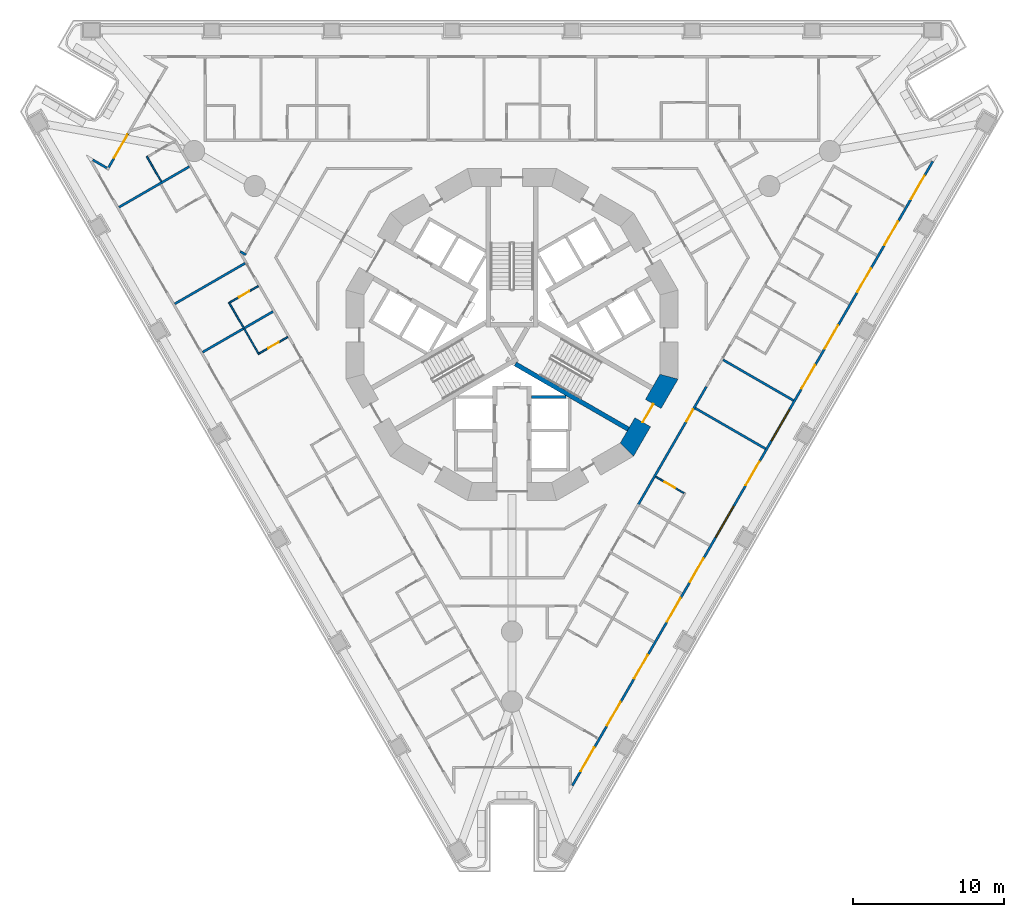
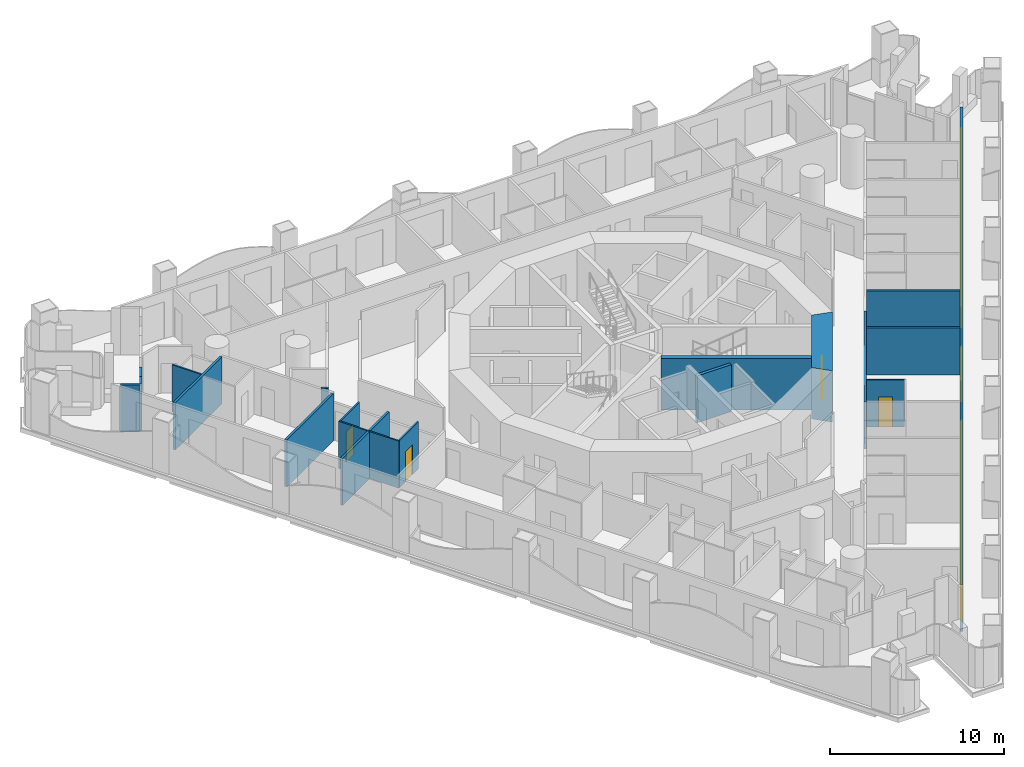
# One storey, part 5 of 19: 20 walls, 17 doors, 2 windows, 19 openings.
"""IFC4 building model written with IfcOpenShell, lengths in metres."""

from ifc_helpers import new_model, si_unit, direction, frame, frame_2d, origin, place, context, subcontext, project, spatial, polyline, rectangle, outline, extrude, material, layer, layer_set, type_object, element, fill, save


model = new_model("IFC4")

# Units and contexts
model_context = context("Model", 3, precision=1e-05, world=origin(), true_north=direction((0.0, 1.0)))
body_context = subcontext(model_context, "Body", "Model", "MODEL_VIEW")
ifc_project = project(units=[si_unit("LENGTHUNIT", "METRE"), si_unit("AREAUNIT", "SQUARE_METRE"), si_unit("VOLUMEUNIT", "CUBIC_METRE"), si_unit("PLANEANGLEUNIT", "RADIAN"), si_unit("MASSUNIT", "GRAM", prefix="KILO")], contexts=[model_context])

# Site, building, storey
site_placement = place(None, origin())
site = spatial("IfcSite", under=ifc_project, at=site_placement, CompositionType="ELEMENT")
building_placement = place(site_placement, origin())
building = spatial("IfcBuilding", under=site, at=building_placement, Name="Trine Commons Tower", CompositionType="ELEMENT")
storey_placement = place(building_placement, frame((0.0, 0.0, 31.5)))
storey = spatial("IfcBuildingStorey", under=building, at=storey_placement, Name="L06", CompositionType="ELEMENT", Elevation=31.5)

# Walls
ifc_material_1 = material(Name="Aluminium-framed insulated wall panel", Category="aluminium")
ifc_layer_1 = layer(ifc_material_1, 0.14990234375)
ifc_layer_set_1 = layer_set([ifc_layer_1], Name="Aluminium-framed insulated wall panel")
wall_type_1 = type_object("IfcWallType", Name="Glazed frame wall 150, EI 60", PredefinedType="SOLIDWALL", material=ifc_layer_set_1)
wall_1_placement = place(storey_placement, frame((52.074462890625, 74.159912109375, 0.0), z_axis=(0.0, 0.0, 1.0), x_axis=(0.865989100438, -0.500062873969, 0.0)))
element("IfcWall", 1, at=wall_1_placement, inside=storey, type_object=wall_type_1, Name="Glazed frame wall R1", PredefinedType="SOLIDWALL", context=body_context, shape_type="SweptSolid", body=[
    extrude(outline(polyline([(0.1494140625, 0.074951171875), (0.1494140625, -0.074951171875), (1.235107421875, -0.074951171875), (1.235107421875, 0.074951171875), (0.1494140625, 0.074951171875)])), origin(), (0.0, 0.0, 1.0), 3.300048828125),
])
wall_2_placement = place(storey_placement, frame((53.19140625, 73.474609375, 0.0), z_axis=(0.0, 0.0, 1.0), x_axis=(0.499880961361, 0.866094119867, 0.0)))
element("IfcWall", 2, at=wall_2_placement, inside=storey, type_object=wall_type_1, Name="Glazed frame wall P1.1", PredefinedType="SOLIDWALL", context=body_context, shape_type="SweptSolid", body=[
    extrude(outline(polyline([(0.110107421875, -0.074951171875), (0.800048828125, -0.074951171875), (0.800048828125, 0.074951171875), (0.110107421875, 0.074951171875), (0.110107421875, -0.074951171875)])), origin(), (0.0, 0.0, 1.0), 3.300048828125),
])

# Wall, opening, door
wall_3_placement = place(storey_placement, frame((53.59130859375, 74.16748046875, 0.0), z_axis=(0.0, 0.0, 1.0), x_axis=(0.500063520245, 0.865988727248, 0.0)))
wall_3 = element("IfcWall", 3, at=wall_3_placement, inside=storey, type_object=wall_type_1, Name="Glazed frame wall P1.2", PredefinedType="SOLIDWALL", context=body_context, shape_type="SweptSolid", body=[
    extrude(outline(polyline([(0.0, -0.074951171875), (1.89990234375, -0.074951171875), (1.89990234375, 0.074951171875), (0.0, 0.074951171875), (0.0, -0.074951171875)])), origin(), (0.0, 0.0, 1.0), 2.64990234375),
])
opening_1_placement = place(wall_3_placement, frame((0.050048828125, 0.0, 0.0)))
opening_1 = element("IfcOpeningElement", 4, at=opening_1_placement, cuts=wall_3, Name="Opening BD-1P1-01", PredefinedType="OPENING", context=body_context, shape_type="SweptSolid", body=[
    extrude(rectangle(XDim=1.800048828125, YDim=2.60009765625, at=frame_2d((0.89990234375, 1.300048828125))), frame((0.0, 0.0849609375, 0.0), z_axis=(0.0, -1.0, 0.0), x_axis=(1.0, 0.0, 0.0)), (0.0, 0.0, 1.0), 0.169921875),
])
ifc_material_2 = material(Name="Anodised aluminium frame with double glazing", Category="aluminium")
door_type_1 = type_object("IfcDoorType", Name="Sliding loggia door 1800x2600", OperationType="SLIDING_TO_LEFT", PredefinedType="DOOR", material=ifc_material_2)
door_1_placement = place(opening_1_placement, origin())
door_1 = element("IfcDoor", 5, at=door_1_placement, inside=storey, type_object=door_type_1, Name="Loggia door P1 1", OperationType="SLIDING_TO_LEFT", OverallHeight=2.60009765625, OverallWidth=1.800048828125, PredefinedType="DOOR", context=body_context, shape_type="SweptSolid", body=[
    extrude(rectangle(XDim=1.800048828125, YDim=2.60009765625, at=frame_2d((0.89990234375, 1.300048828125))), frame((0.0, 0.02490234375, 0.0), z_axis=(0.0, -1.0, 0.0), x_axis=(1.0, 0.0, 0.0)), (0.0, 0.0, 1.0), 0.050048828125),
])
fill(opening_1, door_1)

# Wall, openings, windows, doors
wall_4_placement = place(storey_placement, frame((107.973388671875, 74.112060546875, 0.0), z_axis=(0.0, 0.0, 1.0), x_axis=(-0.499998600735, -0.866026211649, 0.0)))
wall_4 = element("IfcWall", 6, at=wall_4_placement, inside=storey, type_object=wall_type_1, Name="Glazed frame wall F2", PredefinedType="SOLIDWALL", context=body_context, shape_type="SweptSolid", body=[
    extrude(outline(polyline([(0.1494140625, 0.074951171875), (0.1494140625, -0.074951171875), (47.93701171875, -0.074951171875), (47.93701171875, 0.074951171875), (0.1494140625, 0.074951171875)])), origin(), (0.0, 0.0, 1.0), 3.300048828125),
])
opening_2_placement = place(wall_4_placement, frame((1.24951171875, 0.0, 0.0)))
opening_2 = element("IfcOpeningElement", 7, at=opening_2_placement, cuts=wall_4, Name="Opening BD-1F2-01", PredefinedType="OPENING", context=body_context, shape_type="SweptSolid", body=[
    extrude(rectangle(XDim=1.800048828125, YDim=2.60009765625, at=frame_2d((0.89990234375, 1.300048828125))), frame((0.0, 0.0849609375, 0.0), z_axis=(0.0, -1.0, 0.0), x_axis=(1.0, 0.0, 0.0)), (0.0, 0.0, 1.0), 0.169921875),
])
opening_3_placement = place(wall_4_placement, frame((4.748291015625, 0.0, 0.0)))
opening_3 = element("IfcOpeningElement", 8, at=opening_3_placement, cuts=wall_4, Name="Opening BD-1F2-02", PredefinedType="OPENING", context=body_context, shape_type="SweptSolid", body=[
    extrude(rectangle(XDim=1.800048828125, YDim=2.60009765625, at=frame_2d((0.89990234375, 1.300048828125))), frame((0.0, 0.0849609375, 0.0), z_axis=(0.0, -1.0, 0.0), x_axis=(1.0, 0.0, 0.0)), (0.0, 0.0, 1.0), 0.169921875),
])
opening_4_placement = place(wall_4_placement, frame((8.347412109375, 0.0, 0.0)))
opening_4 = element("IfcOpeningElement", 9, at=opening_4_placement, cuts=wall_4, Name="Opening BD-1F2-03", PredefinedType="OPENING", context=body_context, shape_type="SweptSolid", body=[
    extrude(rectangle(XDim=1.800048828125, YDim=2.60009765625, at=frame_2d((0.89990234375, 1.300048828125))), frame((0.0, 0.0849609375, 0.0), z_axis=(0.0, -1.0, 0.0), x_axis=(1.0, 0.0, 0.0)), (0.0, 0.0, 1.0), 0.169921875),
])
opening_5_placement = place(wall_4_placement, frame((12.69580078125, 0.0, 0.0)))
opening_5 = element("IfcOpeningElement", 10, at=opening_5_placement, cuts=wall_4, Name="Opening BD-1F2-04", PredefinedType="OPENING", context=body_context, shape_type="SweptSolid", body=[
    extrude(rectangle(XDim=1.800048828125, YDim=2.60009765625, at=frame_2d((0.89990234375, 1.300048828125))), frame((0.0, 0.0849609375, 0.0), z_axis=(0.0, -1.0, 0.0), x_axis=(1.0, 0.0, 0.0)), (0.0, 0.0, 1.0), 0.169921875),
])
opening_6_placement = place(wall_4_placement, frame((15.7451171875, 0.0, 0.0)))
opening_6 = element("IfcOpeningElement", 11, at=opening_6_placement, cuts=wall_4, Name="Opening BD-1F2-05", PredefinedType="OPENING", context=body_context, shape_type="SweptSolid", body=[
    extrude(rectangle(XDim=1.800048828125, YDim=2.60009765625, at=frame_2d((0.89990234375, 1.300048828125))), frame((0.0, 0.0849609375, 0.0), z_axis=(0.0, -1.0, 0.0), x_axis=(1.0, 0.0, 0.0)), (0.0, 0.0, 1.0), 0.169921875),
])
opening_7_placement = place(wall_4_placement, frame((19.14404296875, 0.0, 0.14990234375)))
opening_7 = element("IfcOpeningElement", 12, at=opening_7_placement, cuts=wall_4, Name="Opening W-1F2-06", PredefinedType="OPENING", context=body_context, shape_type="SweptSolid", body=[
    extrude(rectangle(XDim=2.39990234375, YDim=2.449951171875, at=frame_2d((1.199951171875, 1.22509765625))), frame((0.0, 0.0849609375, 0.0), z_axis=(0.0, -1.0, 0.0), x_axis=(1.0, 0.0, 0.0)), (0.0, 0.0, 1.0), 0.169921875),
])
opening_8_placement = place(wall_4_placement, frame((23.142822265625, 0.0, 0.0)))
opening_8 = element("IfcOpeningElement", 13, at=opening_8_placement, cuts=wall_4, Name="Opening BD-1F2-07", PredefinedType="OPENING", context=body_context, shape_type="SweptSolid", body=[
    extrude(rectangle(XDim=1.800048828125, YDim=2.60009765625, at=frame_2d((0.89990234375, 1.300048828125))), frame((0.0, 0.0849609375, 0.0), z_axis=(0.0, -1.0, 0.0), x_axis=(1.0, 0.0, 0.0)), (0.0, 0.0, 1.0), 0.169921875),
])
opening_9_placement = place(wall_4_placement, frame((26.541748046875, 0.0, 0.14990234375)))
opening_9 = element("IfcOpeningElement", 14, at=opening_9_placement, cuts=wall_4, Name="Opening W-1F2-08", PredefinedType="OPENING", context=body_context, shape_type="SweptSolid", body=[
    extrude(rectangle(XDim=2.39990234375, YDim=2.449951171875, at=frame_2d((1.199951171875, 1.22509765625))), frame((0.0, 0.0849609375, 0.0), z_axis=(0.0, -1.0, 0.0), x_axis=(1.0, 0.0, 0.0)), (0.0, 0.0, 1.0), 0.169921875),
])
opening_10_placement = place(wall_4_placement, frame((30.54052734375, 0.0, 0.0)))
opening_10 = element("IfcOpeningElement", 15, at=opening_10_placement, cuts=wall_4, Name="Opening BD-1F2-09", PredefinedType="OPENING", context=body_context, shape_type="SweptSolid", body=[
    extrude(rectangle(XDim=1.800048828125, YDim=2.60009765625, at=frame_2d((0.89990234375, 1.300048828125))), frame((0.0, 0.0849609375, 0.0), z_axis=(0.0, -1.0, 0.0), x_axis=(1.0, 0.0, 0.0)), (0.0, 0.0, 1.0), 0.169921875),
])
opening_11_placement = place(wall_4_placement, frame((33.590087890625, 0.0, 0.0)))
opening_11 = element("IfcOpeningElement", 16, at=opening_11_placement, cuts=wall_4, Name="Opening BD-1F2-10", PredefinedType="OPENING", context=body_context, shape_type="SweptSolid", body=[
    extrude(rectangle(XDim=1.800048828125, YDim=2.60009765625, at=frame_2d((0.89990234375, 1.300048828125))), frame((0.0, 0.0849609375, 0.0), z_axis=(0.0, -1.0, 0.0), x_axis=(1.0, 0.0, 0.0)), (0.0, 0.0, 1.0), 0.169921875),
])
opening_12_placement = place(wall_4_placement, frame((37.9384765625, 0.0, 0.0)))
opening_12 = element("IfcOpeningElement", 17, at=opening_12_placement, cuts=wall_4, Name="Opening BD-1F2-11", PredefinedType="OPENING", context=body_context, shape_type="SweptSolid", body=[
    extrude(rectangle(XDim=1.800048828125, YDim=2.60009765625, at=frame_2d((0.89990234375, 1.300048828125))), frame((0.0, 0.0849609375, 0.0), z_axis=(0.0, -1.0, 0.0), x_axis=(1.0, 0.0, 0.0)), (0.0, 0.0, 1.0), 0.169921875),
])
opening_13_placement = place(wall_4_placement, frame((41.537353515625, 0.0, 0.0)))
opening_13 = element("IfcOpeningElement", 18, at=opening_13_placement, cuts=wall_4, Name="Opening BD-1F2-12", PredefinedType="OPENING", context=body_context, shape_type="SweptSolid", body=[
    extrude(rectangle(XDim=1.800048828125, YDim=2.60009765625, at=frame_2d((0.89990234375, 1.300048828125))), frame((0.0, 0.0849609375, 0.0), z_axis=(0.0, -1.0, 0.0), x_axis=(1.0, 0.0, 0.0)), (0.0, 0.0, 1.0), 0.169921875),
])
opening_14_placement = place(wall_4_placement, frame((45.036376953125, 0.0, 0.0)))
opening_14 = element("IfcOpeningElement", 19, at=opening_14_placement, cuts=wall_4, Name="Opening BD-1F2-13", PredefinedType="OPENING", context=body_context, shape_type="SweptSolid", body=[
    extrude(rectangle(XDim=1.800048828125, YDim=2.60009765625, at=frame_2d((0.89990234375, 1.300048828125))), frame((0.0, 0.0849609375, 0.0), z_axis=(0.0, -1.0, 0.0), x_axis=(1.0, 0.0, 0.0)), (0.0, 0.0, 1.0), 0.169921875),
])
window_type = type_object("IfcWindowType", Name="Fixed window 2400x2450", PartitioningType="SINGLE_PANEL", PredefinedType="WINDOW", material=ifc_material_2)
window_1_placement = place(opening_7_placement, origin())
window_1 = element("IfcWindow", 20, at=window_1_placement, inside=storey, type_object=window_type, Name="Window F2 6", OverallHeight=2.449951171875, OverallWidth=2.39990234375, PartitioningType="SINGLE_PANEL", PredefinedType="WINDOW", context=body_context, shape_type="SweptSolid", body=[
    extrude(rectangle(XDim=2.39990234375, YDim=2.449951171875, at=frame_2d((1.199951171875, 1.22509765625))), frame((0.0, 0.030029296875, 0.0), z_axis=(0.0, -1.0, 0.0), x_axis=(1.0, 0.0, 0.0)), (0.0, 0.0, 1.0), 0.06005859375),
])
fill(opening_7, window_1)
window_2_placement = place(opening_9_placement, origin())
window_2 = element("IfcWindow", 21, at=window_2_placement, inside=storey, type_object=window_type, Name="Window F2 8", OverallHeight=2.449951171875, OverallWidth=2.39990234375, PartitioningType="SINGLE_PANEL", PredefinedType="WINDOW", context=body_context, shape_type="SweptSolid", body=[
    extrude(rectangle(XDim=2.39990234375, YDim=2.449951171875, at=frame_2d((1.199951171875, 1.22509765625))), frame((0.0, 0.030029296875, 0.0), z_axis=(0.0, -1.0, 0.0), x_axis=(1.0, 0.0, 0.0)), (0.0, 0.0, 1.0), 0.06005859375),
])
fill(opening_9, window_2)
door_2_placement = place(opening_2_placement, origin())
door_2 = element("IfcDoor", 22, at=door_2_placement, inside=storey, type_object=door_type_1, Name="Loggia door F2 1", OperationType="SLIDING_TO_LEFT", OverallHeight=2.60009765625, OverallWidth=1.800048828125, PredefinedType="DOOR", context=body_context, shape_type="SweptSolid", body=[
    extrude(rectangle(XDim=1.800048828125, YDim=2.60009765625, at=frame_2d((0.89990234375, 1.300048828125))), frame((0.0, 0.02490234375, 0.0), z_axis=(0.0, -1.0, 0.0), x_axis=(1.0, 0.0, 0.0)), (0.0, 0.0, 1.0), 0.050048828125),
])
fill(opening_2, door_2)
door_3_placement = place(opening_3_placement, origin())
door_3 = element("IfcDoor", 23, at=door_3_placement, inside=storey, type_object=door_type_1, Name="Loggia door F2 2", OperationType="SLIDING_TO_LEFT", OverallHeight=2.60009765625, OverallWidth=1.800048828125, PredefinedType="DOOR", context=body_context, shape_type="SweptSolid", body=[
    extrude(rectangle(XDim=1.800048828125, YDim=2.60009765625, at=frame_2d((0.89990234375, 1.300048828125))), frame((0.0, 0.02490234375, 0.0), z_axis=(0.0, -1.0, 0.0), x_axis=(1.0, 0.0, 0.0)), (0.0, 0.0, 1.0), 0.050048828125),
])
fill(opening_3, door_3)
door_4_placement = place(opening_4_placement, origin())
door_4 = element("IfcDoor", 24, at=door_4_placement, inside=storey, type_object=door_type_1, Name="Loggia door F2 3", OperationType="SLIDING_TO_LEFT", OverallHeight=2.60009765625, OverallWidth=1.800048828125, PredefinedType="DOOR", context=body_context, shape_type="SweptSolid", body=[
    extrude(rectangle(XDim=1.800048828125, YDim=2.60009765625, at=frame_2d((0.89990234375, 1.300048828125))), frame((0.0, 0.02490234375, 0.0), z_axis=(0.0, -1.0, 0.0), x_axis=(1.0, 0.0, 0.0)), (0.0, 0.0, 1.0), 0.050048828125),
])
fill(opening_4, door_4)
door_5_placement = place(opening_5_placement, origin())
door_5 = element("IfcDoor", 25, at=door_5_placement, inside=storey, type_object=door_type_1, Name="Loggia door F2 4", OperationType="SLIDING_TO_LEFT", OverallHeight=2.60009765625, OverallWidth=1.800048828125, PredefinedType="DOOR", context=body_context, shape_type="SweptSolid", body=[
    extrude(rectangle(XDim=1.800048828125, YDim=2.60009765625, at=frame_2d((0.89990234375, 1.300048828125))), frame((0.0, 0.02490234375, 0.0), z_axis=(0.0, -1.0, 0.0), x_axis=(1.0, 0.0, 0.0)), (0.0, 0.0, 1.0), 0.050048828125),
])
fill(opening_5, door_5)
door_6_placement = place(opening_6_placement, origin())
door_6 = element("IfcDoor", 26, at=door_6_placement, inside=storey, type_object=door_type_1, Name="Loggia door F2 5", OperationType="SLIDING_TO_LEFT", OverallHeight=2.60009765625, OverallWidth=1.800048828125, PredefinedType="DOOR", context=body_context, shape_type="SweptSolid", body=[
    extrude(rectangle(XDim=1.800048828125, YDim=2.60009765625, at=frame_2d((0.89990234375, 1.300048828125))), frame((0.0, 0.02490234375, 0.0), z_axis=(0.0, -1.0, 0.0), x_axis=(1.0, 0.0, 0.0)), (0.0, 0.0, 1.0), 0.050048828125),
])
fill(opening_6, door_6)
door_7_placement = place(opening_8_placement, origin())
door_7 = element("IfcDoor", 27, at=door_7_placement, inside=storey, type_object=door_type_1, Name="Loggia door F2 7", OperationType="SLIDING_TO_LEFT", OverallHeight=2.60009765625, OverallWidth=1.800048828125, PredefinedType="DOOR", context=body_context, shape_type="SweptSolid", body=[
    extrude(rectangle(XDim=1.800048828125, YDim=2.60009765625, at=frame_2d((0.89990234375, 1.300048828125))), frame((0.0, 0.02490234375, 0.0), z_axis=(0.0, -1.0, 0.0), x_axis=(1.0, 0.0, 0.0)), (0.0, 0.0, 1.0), 0.050048828125),
])
fill(opening_8, door_7)
door_8_placement = place(opening_10_placement, origin())
door_8 = element("IfcDoor", 28, at=door_8_placement, inside=storey, type_object=door_type_1, Name="Loggia door F2 9", OperationType="SLIDING_TO_LEFT", OverallHeight=2.60009765625, OverallWidth=1.800048828125, PredefinedType="DOOR", context=body_context, shape_type="SweptSolid", body=[
    extrude(rectangle(XDim=1.800048828125, YDim=2.60009765625, at=frame_2d((0.89990234375, 1.300048828125))), frame((0.0, 0.02490234375, 0.0), z_axis=(0.0, -1.0, 0.0), x_axis=(1.0, 0.0, 0.0)), (0.0, 0.0, 1.0), 0.050048828125),
])
fill(opening_10, door_8)
door_9_placement = place(opening_11_placement, origin())
door_9 = element("IfcDoor", 29, at=door_9_placement, inside=storey, type_object=door_type_1, Name="Loggia door F2 10", OperationType="SLIDING_TO_LEFT", OverallHeight=2.60009765625, OverallWidth=1.800048828125, PredefinedType="DOOR", context=body_context, shape_type="SweptSolid", body=[
    extrude(rectangle(XDim=1.800048828125, YDim=2.60009765625, at=frame_2d((0.89990234375, 1.300048828125))), frame((0.0, 0.02490234375, 0.0), z_axis=(0.0, -1.0, 0.0), x_axis=(1.0, 0.0, 0.0)), (0.0, 0.0, 1.0), 0.050048828125),
])
fill(opening_11, door_9)
door_10_placement = place(opening_12_placement, origin())
door_10 = element("IfcDoor", 30, at=door_10_placement, inside=storey, type_object=door_type_1, Name="Loggia door F2 11", OperationType="SLIDING_TO_LEFT", OverallHeight=2.60009765625, OverallWidth=1.800048828125, PredefinedType="DOOR", context=body_context, shape_type="SweptSolid", body=[
    extrude(rectangle(XDim=1.800048828125, YDim=2.60009765625, at=frame_2d((0.89990234375, 1.300048828125))), frame((0.0, 0.02490234375, 0.0), z_axis=(0.0, -1.0, 0.0), x_axis=(1.0, 0.0, 0.0)), (0.0, 0.0, 1.0), 0.050048828125),
])
fill(opening_12, door_10)
door_11_placement = place(opening_13_placement, origin())
door_11 = element("IfcDoor", 31, at=door_11_placement, inside=storey, type_object=door_type_1, Name="Loggia door F2 12", OperationType="SLIDING_TO_LEFT", OverallHeight=2.60009765625, OverallWidth=1.800048828125, PredefinedType="DOOR", context=body_context, shape_type="SweptSolid", body=[
    extrude(rectangle(XDim=1.800048828125, YDim=2.60009765625, at=frame_2d((0.89990234375, 1.300048828125))), frame((0.0, 0.02490234375, 0.0), z_axis=(0.0, -1.0, 0.0), x_axis=(1.0, 0.0, 0.0)), (0.0, 0.0, 1.0), 0.050048828125),
])
fill(opening_13, door_11)
door_12_placement = place(opening_14_placement, origin())
door_12 = element("IfcDoor", 32, at=door_12_placement, inside=storey, type_object=door_type_1, Name="Loggia door F2 13", OperationType="SLIDING_TO_LEFT", OverallHeight=2.60009765625, OverallWidth=1.800048828125, PredefinedType="DOOR", context=body_context, shape_type="SweptSolid", body=[
    extrude(rectangle(XDim=1.800048828125, YDim=2.60009765625, at=frame_2d((0.89990234375, 1.300048828125))), frame((0.0, 0.02490234375, 0.0), z_axis=(0.0, -1.0, 0.0), x_axis=(1.0, 0.0, 0.0)), (0.0, 0.0, 1.0), 0.050048828125),
])
fill(opening_14, door_12)

# Wall, opening, door
ifc_material_3 = material(Name="Concrete C80/95", Category="concrete")
ifc_layer_2 = layer(ifc_material_3, 1.199951171875)
ifc_layer_set_2 = layer_set([ifc_layer_2], Name="Concrete C80/95")
wall_type_2 = type_object("IfcWallType", Name="RC shear wall 1200 mm, C80/95", PredefinedType="SHEAR", material=ifc_layer_set_2)
wall_5_placement = place(storey_placement, frame((87.54150390625, 54.739013671875, 0.0), z_axis=(0.0, 0.0, 1.0), x_axis=(0.499979111662, 0.866037463336, 0.0)))
wall_5 = element("IfcWall", 33, at=wall_5_placement, inside=storey, type_object=wall_type_2, Name="Core wall CWA-12 L06", PredefinedType="SHEAR", context=body_context, shape_type="SweptSolid", body=[
    extrude(outline(polyline([(0.0, -0.60009765625), (5.901123046875, -0.60009765625), (5.57958984375, 0.60009765625), (0.321533203125, 0.60009765625), (0.0, -0.60009765625)])), origin(), (0.0, 0.0, 1.0), 3.60009765625),
])
opening_15_placement = place(wall_5_placement, frame((2.25048828125, 0.0, 0.0)))
opening_15 = element("IfcOpeningElement", 34, at=opening_15_placement, cuts=wall_5, Name="Opening K05.03", PredefinedType="OPENING", context=body_context, shape_type="SweptSolid", body=[
    extrude(rectangle(XDim=1.39990234375, YDim=2.10009765625, at=frame_2d((0.699951171875, 1.050048828125))), frame((0.0, 0.60986328125, 0.0), z_axis=(0.0, -1.0, 0.0), x_axis=(1.0, 0.0, 0.0)), (0.0, 0.0, 1.0), 1.219970703125),
])
ifc_material_4 = material(Name="Steel door leaves, fire-rated", Category="steel")
door_type_2 = type_object("IfcDoorType", Name="Stair door, double leaf 1400 x 2100, FD90", OperationType="DOUBLE_DOOR_SINGLE_SWING", PredefinedType="DOOR", material=ifc_material_4)
door_13_placement = place(opening_15_placement, origin())
door_13 = element("IfcDoor", 35, at=door_13_placement, inside=storey, type_object=door_type_2, Name="Stair door to Exit stair ST3A L06", OperationType="DOUBLE_DOOR_SINGLE_SWING", OverallHeight=2.10009765625, OverallWidth=1.39990234375, PredefinedType="DOOR", context=body_context, shape_type="SweptSolid", body=[
    extrude(rectangle(XDim=1.39990234375, YDim=2.10009765625, at=frame_2d((0.699951171875, 1.050048828125))), frame((0.0, 0.02490234375, 0.0), z_axis=(0.0, -1.0, 0.0), x_axis=(1.0, 0.0, 0.0)), (0.0, 0.0, 1.0), 0.050048828125),
])
fill(opening_15, door_13)

# Walls
ifc_layer_3 = layer(ifc_material_3, 0.300048828125)
ifc_layer_set_3 = layer_set([ifc_layer_3], Name="Concrete C80/95")
wall_type_3 = type_object("IfcWallType", Name="RC shear wall 300 mm, C80/95", PredefinedType="SHEAR", material=ifc_layer_set_3)
wall_6_placement = place(storey_placement, frame((80.22509765625, 60.552001953125, 0.0), z_axis=(0.0, 0.0, 1.0), x_axis=(0.865965399159, -0.500103916661, 0.0)))
element("IfcWall", 36, at=wall_6_placement, inside=storey, type_object=wall_type_3, Name="Core cross wall SWA-13 L06", PredefinedType="SHEAR", context=body_context, shape_type="SweptSolid", body=[
    extrude(rectangle(XDim=8.642333984375, YDim=0.300048828125, at=frame_2d((4.3212890625, 0.0))), origin(), (0.0, 0.0, 1.0), 3.60009765625),
])
ifc_material_5 = material(Name="Fire-rated gypsum shaft wall system")
ifc_layer_4 = layer(ifc_material_5, 0.199951171875)
ifc_layer_set_4 = layer_set([ifc_layer_4], Name="Fire-rated gypsum shaft wall system")
wall_type_4 = type_object("IfcWallType", Name="Shaft wall 200 mm, EI 120", PredefinedType="PARTITIONING", material=ifc_layer_set_4)
wall_7_placement = place(storey_placement, frame((81.300048828125, 58.35009765625, 0.0), z_axis=(0.0, 0.0, 1.0), x_axis=(1.0, 0.0, 0.0)))
element("IfcWall", 37, at=wall_7_placement, inside=storey, type_object=wall_type_4, Name="Shaft wall L06", PredefinedType="PARTITIONING", context=body_context, shape_type="SweptSolid", body=[
    extrude(rectangle(XDim=2.264892578125, YDim=0.199951171875, at=frame_2d((1.13232421875, 0.0))), origin(), (0.0, 0.0, 1.0), 3.300048828125),
])
ifc_material_6 = material(Name="Gypsum plasterboard on steel stud", Category="steel")
ifc_layer_5 = layer(ifc_material_6, 0.14990234375)
ifc_layer_set_5 = layer_set([ifc_layer_5], Name="Gypsum plasterboard on steel stud")
wall_type_5 = type_object("IfcWallType", Name="Unit and corridor wall 150 mm, EI 60", PredefinedType="PARTITIONING", material=ifc_layer_set_5)
for number, where, z_axis, x_axis, name in (
    (38, (53.941650390625, 70.946044921875, 0.0), (0.0, 0.0, 1.0), (0.866012611495, 0.500022156241, 0.0), "Partition 001"),
    (39, (57.640625, 64.5390625, 0.0), (0.0, 0.0, 1.0), (0.866012611495, 0.500022156241, 0.0), "Partition 007"),
):
    element("IfcWall", number, at=place(storey_placement, frame(where, z_axis=z_axis, x_axis=x_axis)), inside=storey, type_object=wall_type_5, Name=name, PredefinedType="PARTITIONING", context=body_context, shape_type="SweptSolid", body=[
        extrude(rectangle(XDim=5.382568359375, YDim=0.14990234375, at=frame_2d((2.69140625, 0.0))), origin(), (0.0, 0.0, 1.0), 3.300048828125),
    ])
wall_8_placement = place(storey_placement, frame((59.489501953125, 61.3359375, 0.0), z_axis=(0.0, 0.0, 1.0), x_axis=(0.866074421339, 0.499915089492, 0.0)))
element("IfcWall", 40, at=wall_8_placement, inside=storey, type_object=wall_type_5, Name="Partition 011", PredefinedType="PARTITIONING", context=body_context, shape_type="SweptSolid", body=[
    extrude(rectangle(XDim=3.1083984375, YDim=0.14990234375, at=frame_2d((1.55419921875, 0.0))), origin(), (0.0, 0.0, 1.0), 3.300048828125),
])
wall_9_placement = place(storey_placement, frame((61.98388671875, 68.006591796875, 0.0), z_axis=(0.0, 0.0, 1.0), x_axis=(0.866467188461, -0.499234024602, 0.0)))
element("IfcWall", 41, at=wall_9_placement, inside=storey, type_object=wall_type_5, Name="Partition 022", PredefinedType="PARTITIONING", context=body_context, shape_type="SweptSolid", body=[
    extrude(rectangle(XDim=0.432861328125, YDim=0.14990234375, at=frame_2d((0.21630859375, 0.0))), origin(), (0.0, 0.0, 1.0), 3.300048828125),
])
wall_10_placement = place(storey_placement, frame((62.268310546875, 62.93994140625, 0.0), z_axis=(0.0, 0.0, 1.0), x_axis=(0.865905060694, 0.500208382442, 0.0)))
element("IfcWall", 42, at=wall_10_placement, inside=storey, type_object=wall_type_5, Name="Partition 023", PredefinedType="PARTITIONING", context=body_context, shape_type="SweptSolid", body=[
    extrude(rectangle(XDim=2.17431640625, YDim=0.14990234375, at=frame_2d((1.087158203125, 0.0))), origin(), (0.0, 0.0, 1.0), 3.300048828125),
])

# Wall, opening, door
wall_11_placement = place(storey_placement, frame((88.347412109375, 51.18408203125, 0.0), z_axis=(0.0, 0.0, 1.0), x_axis=(0.499985477122, 0.866033788409, 0.0)))
wall_11 = element("IfcWall", 43, at=wall_11_placement, inside=storey, type_object=wall_type_5, Name="Partition 096", PredefinedType="PARTITIONING", context=body_context, shape_type="SweptSolid", body=[
    extrude(rectangle(XDim=9.079345703125, YDim=0.14990234375, at=frame_2d((4.53955078125, 0.0))), origin(), (0.0, 0.0, 1.0), 3.300048828125),
])
opening_16_placement = place(wall_11_placement, frame((6.42626953125, 0.0, 0.0)))
opening_16 = element("IfcOpeningElement", 44, at=opening_16_placement, cuts=wall_11, Name="Opening D-1A20", PredefinedType="OPENING", context=body_context, shape_type="SweptSolid", body=[
    extrude(rectangle(XDim=0.89990234375, YDim=2.10009765625, at=frame_2d((0.449951171875, 1.050048828125))), frame((0.0, 0.0849609375, 0.0), z_axis=(0.0, -1.0, 0.0), x_axis=(1.0, 0.0, 0.0)), (0.0, 0.0, 1.0), 0.169921875),
])
ifc_material_7 = material(Name="Timber fire door set", Category="wood")
door_type_3 = type_object("IfcDoorType", Name="Bedroom door 900 x 2100, FD30S", OperationType="NOTDEFINED", PredefinedType="DOOR", material=ifc_material_7)
door_14_placement = place(opening_16_placement, frame((0.89990234375, 0.0, 0.0), z_axis=(0.0, 0.0, 1.0), x_axis=(-1.0, 0.0, 0.0)))
door_14 = element("IfcDoor", 45, at=door_14_placement, inside=storey, type_object=door_type_3, Name="Door D-1A20", OperationType="SINGLE_SWING_LEFT", OverallHeight=2.10009765625, OverallWidth=0.89990234375, PredefinedType="DOOR", context=body_context, shape_type="SweptSolid", body=[
    extrude(rectangle(XDim=0.89990234375, YDim=2.10009765625, at=frame_2d((0.449951171875, 1.050048828125))), frame((0.0, 0.02490234375, 0.0), z_axis=(0.0, -1.0, 0.0), x_axis=(1.0, 0.0, 0.0)), (0.0, 0.0, 1.0), 0.050048828125),
])
fill(opening_16, door_14)

# Walls
wall_12_placement = place(storey_placement, frame((92.14990234375, 57.62158203125, 0.0), z_axis=(0.0, 0.0, 1.0), x_axis=(0.865992970276, -0.500056172277, 0.0)))
element("IfcWall", 46, at=wall_12_placement, inside=storey, type_object=wall_type_5, Name="Partition 105", PredefinedType="PARTITIONING", context=body_context, shape_type="SweptSolid", body=[
    extrude(rectangle(XDim=5.3828125, YDim=0.14990234375, at=frame_2d((2.69140625, 0.0))), origin(), (0.0, 0.0, 1.0), 3.300048828125),
])
wall_13_placement = place(storey_placement, frame((93.9990234375, 60.824462890625, 0.0), z_axis=(0.0, 0.0, 1.0), x_axis=(0.866057962423, -0.499943602543, 0.0)))
element("IfcWall", 47, at=wall_13_placement, inside=storey, type_object=wall_type_5, Name="Partition 114", PredefinedType="PARTITIONING", context=body_context, shape_type="SweptSolid", body=[
    extrude(rectangle(XDim=5.38330078125, YDim=0.14990234375, at=frame_2d((2.691650390625, 0.0))), origin(), (0.0, 0.0, 1.0), 3.300048828125),
])
ifc_layer_6 = layer(ifc_material_6, 0.10009765625)
ifc_layer_set_6 = layer_set([ifc_layer_6], Name="Gypsum plasterboard on steel stud")
wall_type_6 = type_object("IfcWallType", Name="Unit partition 100 mm, no rating", PredefinedType="PARTITIONING", material=ifc_layer_set_6)
wall_14_placement = place(storey_placement, frame((55.780029296875, 74.3173828125, 0.0), z_axis=(0.0, 0.0, 1.0), x_axis=(0.499876134923, -0.86609690551, 0.0)))
element("IfcWall", 48, at=wall_14_placement, inside=storey, type_object=wall_type_6, Name="Partition 003", PredefinedType="PARTITIONING", context=body_context, shape_type="SweptSolid", body=[
    extrude(rectangle(XDim=1.92529296875, YDim=0.10009765625, at=frame_2d((0.962646484375, 0.0))), origin(), (0.0, 0.0, 1.0), 3.300048828125),
])
wall_15_placement = place(storey_placement, frame((61.22509765625, 64.647216796875, 0.0), z_axis=(0.0, 0.0, 1.0), x_axis=(0.499946095386, -0.866056523391, 0.0)))
element("IfcWall", 49, at=wall_15_placement, inside=storey, type_object=wall_type_6, Name="Partition 017", PredefinedType="PARTITIONING", context=body_context, shape_type="SweptSolid", body=[
    extrude(rectangle(XDim=4.00048828125, YDim=0.10009765625, at=frame_2d((2.000244140625, 0.0))), origin(), (0.0, 0.0, 1.0), 3.300048828125),
])

# Wall, opening, door
wall_16_placement = place(storey_placement, frame((61.293212890625, 64.62890625, 0.0), z_axis=(0.0, 0.0, 1.0), x_axis=(0.865905060694, 0.500208382442, 0.0)))
wall_16 = element("IfcWall", 50, at=wall_16_placement, inside=storey, type_object=wall_type_6, Name="Partition 018", PredefinedType="PARTITIONING", context=body_context, shape_type="SweptSolid", body=[
    extrude(rectangle(XDim=2.17431640625, YDim=0.10009765625, at=frame_2d((1.087158203125, 0.0))), origin(), (0.0, 0.0, 1.0), 3.300048828125),
])
opening_17_placement = place(wall_16_placement, frame((0.68701171875, 0.0, 0.0)))
opening_17 = element("IfcOpeningElement", 51, at=opening_17_placement, cuts=wall_16, Name="Opening D-1A63", PredefinedType="OPENING", context=body_context, shape_type="SweptSolid", body=[
    extrude(rectangle(XDim=0.800048828125, YDim=2.10009765625, at=frame_2d((0.39990234375, 1.050048828125))), frame((0.0, 0.06005859375, 0.0), z_axis=(0.0, -1.0, 0.0), x_axis=(1.0, 0.0, 0.0)), (0.0, 0.0, 1.0), 0.1201171875),
])
ifc_material_8 = material(Name="Painted timber", Category="wood")
door_type_4 = type_object("IfcDoorType", Name="Internal door 800 x 2100, NOT RATED", OperationType="NOTDEFINED", PredefinedType="DOOR", material=ifc_material_8)
door_15_placement = place(opening_17_placement, origin())
door_15 = element("IfcDoor", 52, at=door_15_placement, inside=storey, type_object=door_type_4, Name="Door D-1A63", OperationType="SINGLE_SWING_LEFT", OverallHeight=2.10009765625, OverallWidth=0.800048828125, PredefinedType="DOOR", context=body_context, shape_type="SweptSolid", body=[
    extrude(rectangle(XDim=0.800048828125, YDim=2.10009765625, at=frame_2d((0.39990234375, 1.050048828125))), frame((0.0, 0.02490234375, 0.0), z_axis=(0.0, -1.0, 0.0), x_axis=(1.0, 0.0, 0.0)), (0.0, 0.0, 1.0), 0.050048828125),
])
fill(opening_17, door_15)

wall_17_placement = place(storey_placement, frame((63.243408203125, 61.2509765625, 0.0), z_axis=(0.0, 0.0, 1.0), x_axis=(0.865953691597, 0.500124188586, 0.0)))
wall_17 = element("IfcWall", 53, at=wall_17_placement, inside=storey, type_object=wall_type_6, Name="Partition 026", PredefinedType="PARTITIONING", context=body_context, shape_type="SweptSolid", body=[
    extrude(rectangle(XDim=2.17431640625, YDim=0.10009765625, at=frame_2d((1.087158203125, 0.0))), origin(), (0.0, 0.0, 1.0), 3.300048828125),
])
opening_18_placement = place(wall_17_placement, frame((0.68701171875, 0.0, 0.0)))
opening_18 = element("IfcOpeningElement", 54, at=opening_18_placement, cuts=wall_17, Name="Opening D-1A62", PredefinedType="OPENING", context=body_context, shape_type="SweptSolid", body=[
    extrude(rectangle(XDim=0.800048828125, YDim=2.10009765625, at=frame_2d((0.39990234375, 1.050048828125))), frame((0.0, 0.06005859375, 0.0), z_axis=(0.0, -1.0, 0.0), x_axis=(1.0, 0.0, 0.0)), (0.0, 0.0, 1.0), 0.1201171875),
])
door_16_placement = place(opening_18_placement, frame((0.800048828125, 0.0, 0.0), z_axis=(0.0, 0.0, 1.0), x_axis=(-1.0, 0.0, 0.0)))
door_16 = element("IfcDoor", 55, at=door_16_placement, inside=storey, type_object=door_type_4, Name="Door D-1A62", OperationType="SINGLE_SWING_RIGHT", OverallHeight=2.10009765625, OverallWidth=0.800048828125, PredefinedType="DOOR", context=body_context, shape_type="SweptSolid", body=[
    extrude(rectangle(XDim=0.800048828125, YDim=2.10009765625, at=frame_2d((0.39990234375, 1.050048828125))), frame((0.0, 0.02490234375, 0.0), z_axis=(0.0, -1.0, 0.0), x_axis=(1.0, 0.0, 0.0)), (0.0, 0.0, 1.0), 0.050048828125),
])
fill(opening_18, door_16)

wall_18_placement = place(storey_placement, frame((89.52587890625, 53.076416015625, 0.0), z_axis=(0.0, 0.0, 1.0), x_axis=(0.866065968399, -0.499929733443, 0.0)))
wall_18 = element("IfcWall", 56, at=wall_18_placement, inside=storey, type_object=wall_type_6, Name="Partition 100", PredefinedType="PARTITIONING", context=body_context, shape_type="SweptSolid", body=[
    extrude(rectangle(XDim=2.175048828125, YDim=0.10009765625, at=frame_2d((1.08740234375, 0.0))), origin(), (0.0, 0.0, 1.0), 3.300048828125),
])
opening_19_placement = place(wall_18_placement, frame((0.6875, 0.0, 0.0)))
opening_19 = element("IfcOpeningElement", 57, at=opening_19_placement, cuts=wall_18, Name="Opening D-1A52", PredefinedType="OPENING", context=body_context, shape_type="SweptSolid", body=[
    extrude(rectangle(XDim=0.800048828125, YDim=2.10009765625, at=frame_2d((0.39990234375, 1.050048828125))), frame((0.0, 0.06005859375, 0.0), z_axis=(0.0, -1.0, 0.0), x_axis=(1.0, 0.0, 0.0)), (0.0, 0.0, 1.0), 0.1201171875),
])
door_17_placement = place(opening_19_placement, origin())
door_17 = element("IfcDoor", 58, at=door_17_placement, inside=storey, type_object=door_type_4, Name="Door D-1A52", OperationType="SINGLE_SWING_LEFT", OverallHeight=2.10009765625, OverallWidth=0.800048828125, PredefinedType="DOOR", context=body_context, shape_type="SweptSolid", body=[
    extrude(rectangle(XDim=0.800048828125, YDim=2.10009765625, at=frame_2d((0.39990234375, 1.050048828125))), frame((0.0, 0.02490234375, 0.0), z_axis=(0.0, -1.0, 0.0), x_axis=(1.0, 0.0, 0.0)), (0.0, 0.0, 1.0), 0.050048828125),
])
fill(opening_19, door_17)

save(model, "model.ifc")
